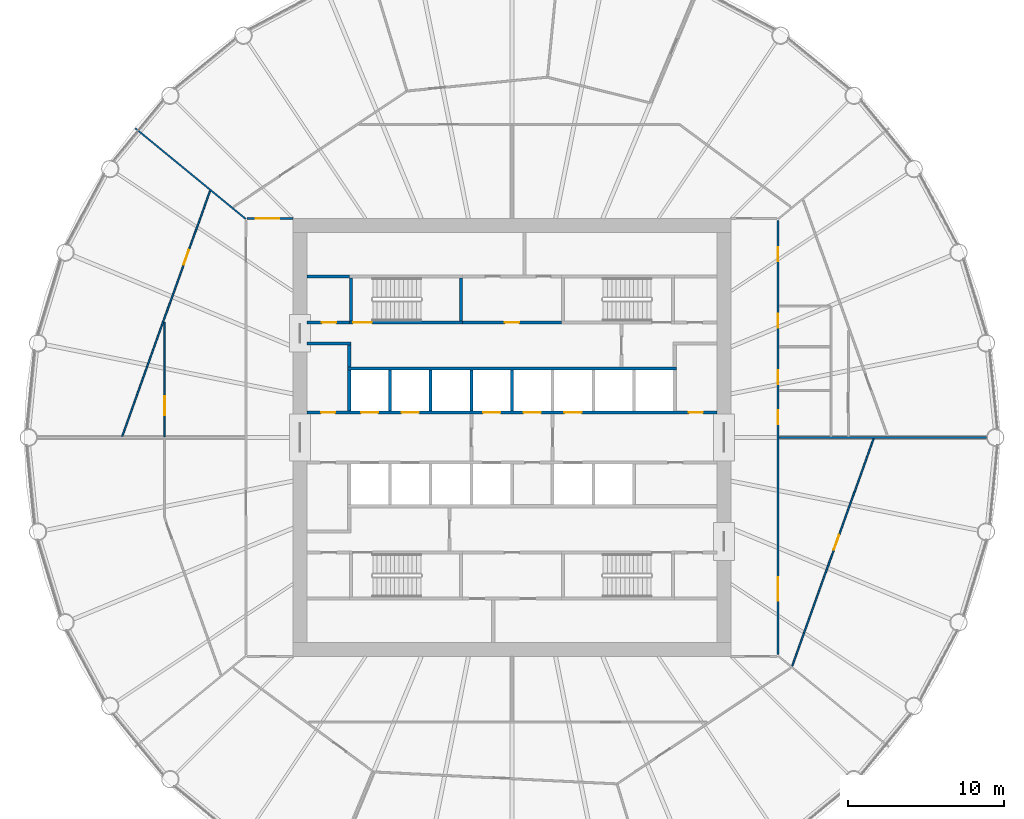
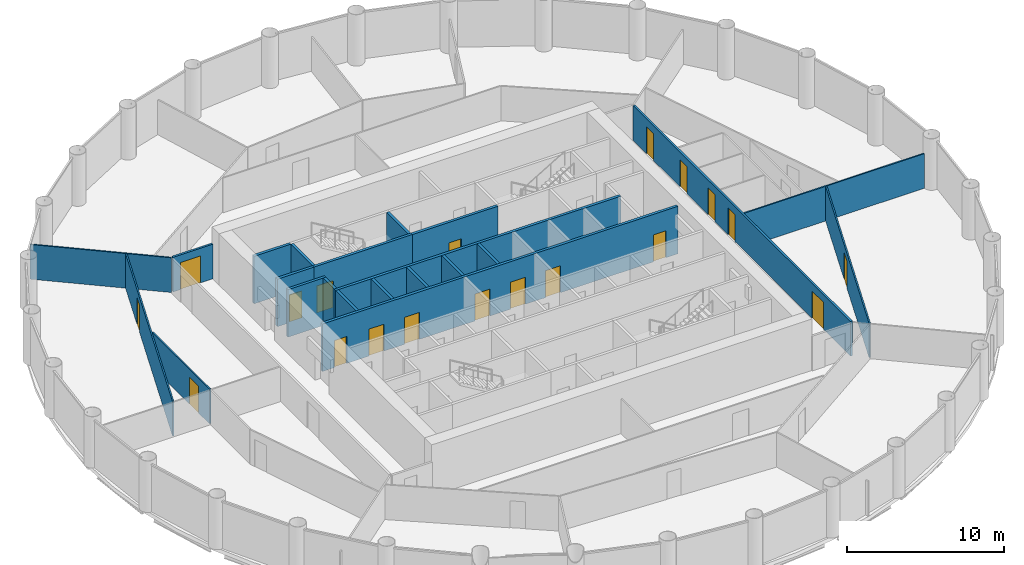
# One storey, part 6 of 9: 22 walls, 19 doors, 19 openings.
"""IFC4 building model written with IfcOpenShell, lengths in metres."""

from ifc_helpers import new_model, si_unit, direction, frame, frame_2d, origin, place, context, subcontext, project, spatial, polyline, rectangle, outline, extrude, material, layer, layer_set, type_object, element, fill, save


model = new_model("IFC4")

# Units and contexts
model_context = context("Model", 3, precision=1e-05, world=origin(), true_north=direction((0.0, 1.0)))
body_context = subcontext(model_context, "Body", "Model", "MODEL_VIEW")
ifc_project = project(units=[si_unit("LENGTHUNIT", "METRE"), si_unit("AREAUNIT", "SQUARE_METRE"), si_unit("VOLUMEUNIT", "CUBIC_METRE"), si_unit("PLANEANGLEUNIT", "RADIAN"), si_unit("MASSUNIT", "GRAM", prefix="KILO")], contexts=[model_context])

# Site, building, storey
site_placement = place(None, origin())
site = spatial("IfcSite", under=ifc_project, at=site_placement, CompositionType="ELEMENT")
building_placement = place(site_placement, origin())
building = spatial("IfcBuilding", under=site, at=building_placement, Name="Corvane Civic Tower", CompositionType="ELEMENT")
storey_placement = place(building_placement, frame((0.0, 0.0, 184.0)))
storey = spatial("IfcBuildingStorey", under=building, at=storey_placement, Name="L43", CompositionType="ELEMENT", Elevation=184.0)

# Wall, openings, doors
ifc_material_1 = material(Name="Concrete C30/37", Category="concrete")
ifc_layer_1 = layer(ifc_material_1, 0.199951171875)
ifc_layer_set_1 = layer_set([ifc_layer_1], Name="Concrete C30/37")
wall_type_1 = type_object("IfcWallType", Name="CR-WALL-200", PredefinedType="PARTITIONING", material=ifc_layer_set_1)
wall_1_placement = place(storey_placement, frame((-13.10009765625, 1.60009765625, 0.0), z_axis=(0.0, 0.0, 1.0), x_axis=(1.0, 0.0, 0.0)))
wall_1 = element("IfcWall", 1, at=wall_1_placement, inside=storey, type_object=wall_type_1, Name="L43 lift shaft wall", PredefinedType="PARTITIONING", context=body_context, shape_type="SweptSolid", body=[
    extrude(rectangle(XDim=26.2001953125, YDim=0.199951171875, at=frame_2d((13.10009765625, 0.0))), origin(), (0.0, 0.0, 1.0), 3.699951171875),
])
opening_1_placement = place(wall_1_placement, frame((3.449951171875, 0.0, 0.0)))
opening_1 = element("IfcOpeningElement", 2, at=opening_1_placement, cuts=wall_1, Name="Opening LD", PredefinedType="OPENING", context=body_context, shape_type="SweptSolid", body=[
    extrude(rectangle(XDim=1.10009765625, YDim=2.10009765625, at=frame_2d((0.550048828125, 1.050048828125))), frame((0.0, 0.10986328125, 0.0), z_axis=(0.0, -1.0, 0.0), x_axis=(1.0, 0.0, 0.0)), (0.0, 0.0, 1.0), 0.219970703125),
])
opening_2_placement = place(wall_1_placement, frame((6.050048828125, 0.0, 0.0)))
opening_2 = element("IfcOpeningElement", 3, at=opening_2_placement, cuts=wall_1, Name="Opening LD", PredefinedType="OPENING", context=body_context, shape_type="SweptSolid", body=[
    extrude(rectangle(XDim=1.10009765625, YDim=2.10009765625, at=frame_2d((0.550048828125, 1.050048828125))), frame((0.0, 0.10986328125, 0.0), z_axis=(0.0, -1.0, 0.0), x_axis=(1.0, 0.0, 0.0)), (0.0, 0.0, 1.0), 0.219970703125),
])
opening_3_placement = place(wall_1_placement, frame((11.25, 0.0, 0.0)))
opening_3 = element("IfcOpeningElement", 4, at=opening_3_placement, cuts=wall_1, Name="Opening LD", PredefinedType="OPENING", context=body_context, shape_type="SweptSolid", body=[
    extrude(rectangle(XDim=1.10009765625, YDim=2.10009765625, at=frame_2d((0.550048828125, 1.050048828125))), frame((0.0, 0.10986328125, 0.0), z_axis=(0.0, -1.0, 0.0), x_axis=(1.0, 0.0, 0.0)), (0.0, 0.0, 1.0), 0.219970703125),
])
opening_4_placement = place(wall_1_placement, frame((13.85009765625, 0.0, 0.0)))
opening_4 = element("IfcOpeningElement", 5, at=opening_4_placement, cuts=wall_1, Name="Opening LD", PredefinedType="OPENING", context=body_context, shape_type="SweptSolid", body=[
    extrude(rectangle(XDim=1.10009765625, YDim=2.10009765625, at=frame_2d((0.550048828125, 1.050048828125))), frame((0.0, 0.10986328125, 0.0), z_axis=(0.0, -1.0, 0.0), x_axis=(1.0, 0.0, 0.0)), (0.0, 0.0, 1.0), 0.219970703125),
])
opening_5_placement = place(wall_1_placement, frame((16.449951171875, 0.0, 0.0)))
opening_5 = element("IfcOpeningElement", 6, at=opening_5_placement, cuts=wall_1, Name="Opening LD", PredefinedType="OPENING", context=body_context, shape_type="SweptSolid", body=[
    extrude(rectangle(XDim=1.10009765625, YDim=2.10009765625, at=frame_2d((0.550048828125, 1.050048828125))), frame((0.0, 0.10986328125, 0.0), z_axis=(0.0, -1.0, 0.0), x_axis=(1.0, 0.0, 0.0)), (0.0, 0.0, 1.0), 0.219970703125),
])
opening_6_placement = place(wall_1_placement, frame((0.89990234375, 0.0, 0.0)))
opening_6 = element("IfcOpeningElement", 7, at=opening_6_placement, cuts=wall_1, Name="Opening L43.C01", PredefinedType="OPENING", context=body_context, shape_type="SweptSolid", body=[
    extrude(rectangle(XDim=0.89990234375, YDim=2.10009765625, at=frame_2d((0.449951171875, 1.050048828125))), frame((0.0, 0.10986328125, 0.0), z_axis=(0.0, -1.0, 0.0), x_axis=(1.0, 0.0, 0.0)), (0.0, 0.0, 1.0), 0.219970703125),
])
opening_7_placement = place(wall_1_placement, frame((24.39990234375, 0.0, 0.0)))
opening_7 = element("IfcOpeningElement", 8, at=opening_7_placement, cuts=wall_1, Name="Opening L43.C02", PredefinedType="OPENING", context=body_context, shape_type="SweptSolid", body=[
    extrude(rectangle(XDim=0.89990234375, YDim=2.10009765625, at=frame_2d((0.449951171875, 1.050048828125))), frame((0.0, 0.10986328125, 0.0), z_axis=(0.0, -1.0, 0.0), x_axis=(1.0, 0.0, 0.0)), (0.0, 0.0, 1.0), 0.219970703125),
])
ifc_material_2 = material(Name="Steel fire door leaf", Category="steel")
door_type_1 = type_object("IfcDoorType", Name="CR-DOOR-900", OperationType="SINGLE_SWING_LEFT", PredefinedType="DOOR", material=ifc_material_2)
door_1_placement = place(opening_6_placement, origin())
door_1 = element("IfcDoor", 9, at=door_1_placement, inside=storey, type_object=door_type_1, Name="L43 door", OperationType="SINGLE_SWING_LEFT", OverallHeight=2.10009765625, OverallWidth=0.89990234375, PredefinedType="DOOR", context=body_context, shape_type="SweptSolid", body=[
    extrude(rectangle(XDim=0.89990234375, YDim=2.10009765625, at=frame_2d((0.449951171875, 1.050048828125))), frame((0.0, 0.02490234375, 0.0), z_axis=(0.0, -1.0, 0.0), x_axis=(1.0, 0.0, 0.0)), (0.0, 0.0, 1.0), 0.050048828125),
])
fill(opening_6, door_1)
door_2_placement = place(opening_7_placement, origin())
door_2 = element("IfcDoor", 10, at=door_2_placement, inside=storey, type_object=door_type_1, Name="L43 door", OperationType="SINGLE_SWING_LEFT", OverallHeight=2.10009765625, OverallWidth=0.89990234375, PredefinedType="DOOR", context=body_context, shape_type="SweptSolid", body=[
    extrude(rectangle(XDim=0.89990234375, YDim=2.10009765625, at=frame_2d((0.449951171875, 1.050048828125))), frame((0.0, 0.02490234375, 0.0), z_axis=(0.0, -1.0, 0.0), x_axis=(1.0, 0.0, 0.0)), (0.0, 0.0, 1.0), 0.050048828125),
])
fill(opening_7, door_2)
ifc_material_3 = material(Name="Stainless steel 316 door leaves", Category="steel")
door_type_2 = type_object("IfcDoorType", Name="LD", OperationType="DOUBLE_DOOR_SLIDING", PredefinedType="DOOR", material=ifc_material_3)
door_3_placement = place(opening_1_placement, origin())
door_3 = element("IfcDoor", 11, at=door_3_placement, inside=storey, type_object=door_type_2, Name="L43 landing door", OperationType="DOUBLE_DOOR_SLIDING", OverallHeight=2.10009765625, OverallWidth=1.10009765625, PredefinedType="DOOR", context=body_context, shape_type="SweptSolid", body=[
    extrude(rectangle(XDim=1.10009765625, YDim=2.10009765625, at=frame_2d((0.550048828125, 1.050048828125))), frame((0.0, 0.02490234375, 0.0), z_axis=(0.0, -1.0, 0.0), x_axis=(1.0, 0.0, 0.0)), (0.0, 0.0, 1.0), 0.050048828125),
])
fill(opening_1, door_3)
door_4_placement = place(opening_2_placement, origin())
door_4 = element("IfcDoor", 12, at=door_4_placement, inside=storey, type_object=door_type_2, Name="L43 landing door", OperationType="DOUBLE_DOOR_SLIDING", OverallHeight=2.10009765625, OverallWidth=1.10009765625, PredefinedType="DOOR", context=body_context, shape_type="SweptSolid", body=[
    extrude(rectangle(XDim=1.10009765625, YDim=2.10009765625, at=frame_2d((0.550048828125, 1.050048828125))), frame((0.0, 0.02490234375, 0.0), z_axis=(0.0, -1.0, 0.0), x_axis=(1.0, 0.0, 0.0)), (0.0, 0.0, 1.0), 0.050048828125),
])
fill(opening_2, door_4)
door_5_placement = place(opening_3_placement, origin())
door_5 = element("IfcDoor", 13, at=door_5_placement, inside=storey, type_object=door_type_2, Name="L43 landing door", OperationType="DOUBLE_DOOR_SLIDING", OverallHeight=2.10009765625, OverallWidth=1.10009765625, PredefinedType="DOOR", context=body_context, shape_type="SweptSolid", body=[
    extrude(rectangle(XDim=1.10009765625, YDim=2.10009765625, at=frame_2d((0.550048828125, 1.050048828125))), frame((0.0, 0.02490234375, 0.0), z_axis=(0.0, -1.0, 0.0), x_axis=(1.0, 0.0, 0.0)), (0.0, 0.0, 1.0), 0.050048828125),
])
fill(opening_3, door_5)
door_6_placement = place(opening_4_placement, origin())
door_6 = element("IfcDoor", 14, at=door_6_placement, inside=storey, type_object=door_type_2, Name="L43 landing door", OperationType="DOUBLE_DOOR_SLIDING", OverallHeight=2.10009765625, OverallWidth=1.10009765625, PredefinedType="DOOR", context=body_context, shape_type="SweptSolid", body=[
    extrude(rectangle(XDim=1.10009765625, YDim=2.10009765625, at=frame_2d((0.550048828125, 1.050048828125))), frame((0.0, 0.02490234375, 0.0), z_axis=(0.0, -1.0, 0.0), x_axis=(1.0, 0.0, 0.0)), (0.0, 0.0, 1.0), 0.050048828125),
])
fill(opening_4, door_6)
door_7_placement = place(opening_5_placement, origin())
door_7 = element("IfcDoor", 15, at=door_7_placement, inside=storey, type_object=door_type_2, Name="L43 landing door", OperationType="DOUBLE_DOOR_SLIDING", OverallHeight=2.10009765625, OverallWidth=1.10009765625, PredefinedType="DOOR", context=body_context, shape_type="SweptSolid", body=[
    extrude(rectangle(XDim=1.10009765625, YDim=2.10009765625, at=frame_2d((0.550048828125, 1.050048828125))), frame((0.0, 0.02490234375, 0.0), z_axis=(0.0, -1.0, 0.0), x_axis=(1.0, 0.0, 0.0)), (0.0, 0.0, 1.0), 0.050048828125),
])
fill(opening_5, door_7)

# Wall, opening, door
wall_2_placement = place(storey_placement, frame((-13.10009765625, 7.35009765625, 0.0), z_axis=(0.0, 0.0, 1.0), x_axis=(1.0, 0.0, 0.0)))
wall_2 = element("IfcWall", 16, at=wall_2_placement, inside=storey, type_object=wall_type_1, Name="L43 core partition wall", PredefinedType="PARTITIONING", context=body_context, shape_type="SweptSolid", body=[
    extrude(rectangle(XDim=2.7001953125, YDim=0.199951171875, at=frame_2d((1.35009765625, 0.0))), origin(), (0.0, 0.0, 1.0), 3.699951171875),
])
opening_8_placement = place(wall_2_placement, frame((0.949951171875, 0.0, 0.0)))
opening_8 = element("IfcOpeningElement", 17, at=opening_8_placement, cuts=wall_2, Name="Opening L43.C12", PredefinedType="OPENING", context=body_context, shape_type="SweptSolid", body=[
    extrude(rectangle(XDim=0.89990234375, YDim=2.10009765625, at=frame_2d((0.449951171875, 1.050048828125))), frame((0.0, 0.10986328125, 0.0), z_axis=(0.0, -1.0, 0.0), x_axis=(1.0, 0.0, 0.0)), (0.0, 0.0, 1.0), 0.219970703125),
])
door_8_placement = place(opening_8_placement, origin())
door_8 = element("IfcDoor", 18, at=door_8_placement, inside=storey, type_object=door_type_1, Name="L43 door", OperationType="SINGLE_SWING_LEFT", OverallHeight=2.10009765625, OverallWidth=0.89990234375, PredefinedType="DOOR", context=body_context, shape_type="SweptSolid", body=[
    extrude(rectangle(XDim=0.89990234375, YDim=2.10009765625, at=frame_2d((0.449951171875, 1.050048828125))), frame((0.0, 0.02490234375, 0.0), z_axis=(0.0, -1.0, 0.0), x_axis=(1.0, 0.0, 0.0)), (0.0, 0.0, 1.0), 0.050048828125),
])
fill(opening_8, door_8)

wall_3_placement = place(storey_placement, frame((-3.14990234375, 7.35009765625, 0.0), z_axis=(0.0, 0.0, 1.0), x_axis=(1.0, 0.0, 0.0)))
wall_3 = element("IfcWall", 19, at=wall_3_placement, inside=storey, type_object=wall_type_1, Name="L43 core partition wall", PredefinedType="PARTITIONING", context=body_context, shape_type="SweptSolid", body=[
    extrude(rectangle(XDim=6.2998046875, YDim=0.199951171875, at=frame_2d((3.14990234375, 0.0))), origin(), (0.0, 0.0, 1.0), 3.699951171875),
])
opening_9_placement = place(wall_3_placement, frame((2.699951171875, 0.0, 0.0)))
opening_9 = element("IfcOpeningElement", 20, at=opening_9_placement, cuts=wall_3, Name="Opening L43.C06", PredefinedType="OPENING", context=body_context, shape_type="SweptSolid", body=[
    extrude(rectangle(XDim=0.89990234375, YDim=2.10009765625, at=frame_2d((0.449951171875, 1.050048828125))), frame((0.0, 0.10986328125, 0.0), z_axis=(0.0, -1.0, 0.0), x_axis=(1.0, 0.0, 0.0)), (0.0, 0.0, 1.0), 0.219970703125),
])
door_9_placement = place(opening_9_placement, origin())
door_9 = element("IfcDoor", 21, at=door_9_placement, inside=storey, type_object=door_type_1, Name="L43 door", OperationType="SINGLE_SWING_LEFT", OverallHeight=2.10009765625, OverallWidth=0.89990234375, PredefinedType="DOOR", context=body_context, shape_type="SweptSolid", body=[
    extrude(rectangle(XDim=0.89990234375, YDim=2.10009765625, at=frame_2d((0.449951171875, 1.050048828125))), frame((0.0, 0.02490234375, 0.0), z_axis=(0.0, -1.0, 0.0), x_axis=(1.0, 0.0, 0.0)), (0.0, 0.0, 1.0), 0.050048828125),
])
fill(opening_9, door_9)

# Walls
wall_4_placement = place(storey_placement, origin())
element("IfcWall", 22, at=wall_4_placement, inside=storey, type_object=wall_type_1, Name="L43 core partition wall", PredefinedType="PARTITIONING", context=body_context, shape_type="SweptSolid", body=[
    extrude(outline(polyline([(10.5, 4.5), (10.5, 4.300048828125), (-10.5, 4.300048828125), (-10.5, 4.5), (10.5, 4.5)])), origin(), (0.0, 0.0, 1.0), 3.699951171875),
])
wall_5_placement = place(storey_placement, origin())
element("IfcWall", 23, at=wall_5_placement, inside=storey, type_object=wall_type_1, Name="L43 core partition wall", PredefinedType="PARTITIONING", context=body_context, shape_type="SweptSolid", body=[
    extrude(outline(polyline([(-10.300048828125, 5.89990234375), (-13.10009765625, 5.89990234375), (-13.10009765625, 6.10009765625), (-10.300048828125, 6.10009765625), (-10.300048828125, 5.89990234375)])), origin(), (0.0, 0.0, 1.0), 3.699951171875),
])
wall_6_placement = place(storey_placement, origin())
element("IfcWall", 24, at=wall_6_placement, inside=storey, type_object=wall_type_1, Name="L43 core partition wall", PredefinedType="PARTITIONING", context=body_context, shape_type="SweptSolid", body=[
    extrude(outline(polyline([(-2.5, 1.699951171875), (-2.699951171875, 1.699951171875), (-2.699951171875, 4.2998046875), (-2.5, 4.2998046875), (-2.5, 1.699951171875)])), origin(), (0.0, 0.0, 1.0), 3.699951171875),
])
wall_7_placement = place(storey_placement, origin())
element("IfcWall", 25, at=wall_7_placement, inside=storey, type_object=wall_type_1, Name="L43 core partition wall", PredefinedType="PARTITIONING", context=body_context, shape_type="SweptSolid", body=[
    extrude(outline(polyline([(0.10009765625, 1.699951171875), (-0.10009765625, 1.699951171875), (-0.10009765625, 4.2998046875), (0.10009765625, 4.2998046875), (0.10009765625, 1.699951171875)])), origin(), (0.0, 0.0, 1.0), 3.699951171875),
])
wall_8_placement = place(storey_placement, origin())
element("IfcWall", 26, at=wall_8_placement, inside=storey, type_object=wall_type_1, Name="L43 core partition wall", PredefinedType="PARTITIONING", context=body_context, shape_type="SweptSolid", body=[
    extrude(outline(polyline([(-10.300048828125, 1.699951171875), (-10.5, 1.699951171875), (-10.5, 4.2998046875), (-10.300048828125, 4.2998046875), (-10.300048828125, 1.699951171875)])), origin(), (0.0, 0.0, 1.0), 3.699951171875),
])
wall_9_placement = place(storey_placement, origin())
element("IfcWall", 27, at=wall_9_placement, inside=storey, type_object=wall_type_1, Name="L43 core partition wall", PredefinedType="PARTITIONING", context=body_context, shape_type="SweptSolid", body=[
    extrude(outline(polyline([(-7.699951171875, 1.699951171875), (-7.89990234375, 1.699951171875), (-7.89990234375, 4.2998046875), (-7.699951171875, 4.2998046875), (-7.699951171875, 1.699951171875)])), origin(), (0.0, 0.0, 1.0), 3.699951171875),
])
wall_10_placement = place(storey_placement, origin())
element("IfcWall", 28, at=wall_10_placement, inside=storey, type_object=wall_type_1, Name="L43 core partition wall", PredefinedType="PARTITIONING", context=body_context, shape_type="SweptSolid", body=[
    extrude(outline(polyline([(-5.10009765625, 1.699951171875), (-5.300048828125, 1.699951171875), (-5.300048828125, 4.2998046875), (-5.10009765625, 4.2998046875), (-5.10009765625, 1.699951171875)])), origin(), (0.0, 0.0, 1.0), 3.699951171875),
])
wall_11_placement = place(storey_placement, origin())
element("IfcWall", 29, at=wall_11_placement, inside=storey, type_object=wall_type_1, Name="L43 core partition wall", PredefinedType="PARTITIONING", context=body_context, shape_type="SweptSolid", body=[
    extrude(outline(polyline([(-10.300048828125, 4.5), (-10.5, 4.5), (-10.5, 5.89990234375), (-10.300048828125, 5.89990234375), (-10.300048828125, 4.5)])), origin(), (0.0, 0.0, 1.0), 3.699951171875),
])
wall_12_placement = place(storey_placement, origin())
element("IfcWall", 30, at=wall_12_placement, inside=storey, type_object=wall_type_1, Name="L43 core partition wall", PredefinedType="PARTITIONING", context=body_context, shape_type="SweptSolid", body=[
    extrude(outline(polyline([(-13.10009765625, 10.199951171875), (-13.10009765625, 10.39990234375), (-10.39990234375, 10.39990234375), (-10.39990234375, 10.199951171875), (-13.10009765625, 10.199951171875)])), origin(), (0.0, 0.0, 1.0), 3.699951171875),
])

# Wall, opening, door
ifc_material_4 = material(Name="Plasterboard")
ifc_layer_2 = layer(ifc_material_4, 0.10009765625)
ifc_layer_set_2 = layer_set([ifc_layer_2], Name="Plasterboard")
wall_type_2 = type_object("IfcWallType", Name="Partition 100 plasterboard on studs", PredefinedType="PARTITIONING", material=ifc_layer_set_2)
wall_13_placement = place(storey_placement, frame((17.911865234375, -14.61328125, 0.0), z_axis=(0.0, 0.0, 1.0), x_axis=(0.336892928538, 0.941542964873, 0.0)))
wall_13 = element("IfcWall", 31, at=wall_13_placement, inside=storey, type_object=wall_type_2, Name="Partition L43.011", PredefinedType="PARTITIONING", context=body_context, shape_type="SweptSolid", body=[
    extrude(rectangle(XDim=15.449462890625, YDim=0.10009765625, at=frame_2d((7.724609375, 0.0))), origin(), (0.0, 0.0, 1.0), 2.699951171875),
])
opening_10_placement = place(wall_13_placement, frame((7.896484375, 0.0, 0.0)))
opening_10 = element("IfcOpeningElement", 32, at=opening_10_placement, cuts=wall_13, Name="Opening L43.019", PredefinedType="OPENING", context=body_context, shape_type="SweptSolid", body=[
    extrude(rectangle(XDim=1.0, YDim=2.10009765625, at=frame_2d((0.5, 1.050048828125))), frame((0.0, 0.06005859375, 0.0), z_axis=(0.0, -1.0, 0.0), x_axis=(1.0, 0.0, 0.0)), (0.0, 0.0, 1.0), 0.1201171875),
])
ifc_material_5 = material(Name="Timber", Category="wood")
door_type_3 = type_object("IfcDoorType", Name="Single door 1000", OperationType="NOTDEFINED", PredefinedType="DOOR", material=ifc_material_5)
door_10_placement = place(opening_10_placement, frame((1.0, 0.0, 0.0), z_axis=(0.0, 0.0, 1.0), x_axis=(-1.0, 0.0, 0.0)))
door_10 = element("IfcDoor", 33, at=door_10_placement, inside=storey, type_object=door_type_3, Name="Door L43.019", OperationType="SINGLE_SWING_LEFT", OverallHeight=2.10009765625, OverallWidth=1.0, PredefinedType="DOOR", context=body_context, shape_type="SweptSolid", body=[
    extrude(rectangle(XDim=1.0, YDim=2.10009765625, at=frame_2d((0.5, 1.050048828125))), frame((0.0, 0.02490234375, 0.0), z_axis=(0.0, -1.0, 0.0), x_axis=(1.0, 0.0, 0.0)), (0.0, 0.0, 1.0), 0.050048828125),
])
fill(opening_10, door_10)

# Wall
wall_14_placement = place(storey_placement, frame((17.074951171875, 0.0, 0.0), z_axis=(0.0, 0.0, 1.0), x_axis=(1.0, 0.0, 0.0)))
element("IfcWall", 34, at=wall_14_placement, inside=storey, type_object=wall_type_2, Name="Partition L43.018", PredefinedType="PARTITIONING", context=body_context, shape_type="SweptSolid", body=[
    extrude(rectangle(XDim=13.264892578125, YDim=0.10009765625, at=frame_2d((6.63232421875, 0.0))), origin(), (0.0, 0.0, 1.0), 2.699951171875),
])

# Wall, opening, door
wall_15_placement = place(storey_placement, frame((-22.199951171875, 0.050048828125, 0.0), z_axis=(0.0, 0.0, 1.0), x_axis=(0.0, 1.0, 0.0)))
wall_15 = element("IfcWall", 35, at=wall_15_placement, inside=storey, type_object=wall_type_2, Name="Partition L43.019", PredefinedType="PARTITIONING", context=body_context, shape_type="SweptSolid", body=[
    extrude(rectangle(XDim=7.3271484375, YDim=0.10009765625, at=frame_2d((3.66357421875, 0.0))), origin(), (0.0, 0.0, 1.0), 2.699951171875),
])
opening_11_placement = place(wall_15_placement, frame((1.377197265625, 0.0, 0.0)))
opening_11 = element("IfcOpeningElement", 36, at=opening_11_placement, cuts=wall_15, Name="Opening L43.024", PredefinedType="OPENING", context=body_context, shape_type="SweptSolid", body=[
    extrude(rectangle(XDim=1.199951171875, YDim=2.10009765625, at=frame_2d((0.60009765625, 1.050048828125))), frame((0.0, 0.06005859375, 0.0), z_axis=(0.0, -1.0, 0.0), x_axis=(1.0, 0.0, 0.0)), (0.0, 0.0, 1.0), 0.1201171875),
])
ifc_material_6 = material(Name="Timber", Category="wood")
door_type_4 = type_object("IfcDoorType", Name="Double door 1200", OperationType="NOTDEFINED", PredefinedType="DOOR", material=ifc_material_6)
door_11_placement = place(opening_11_placement, origin())
door_11 = element("IfcDoor", 37, at=door_11_placement, inside=storey, type_object=door_type_4, Name="Door L43.024", OperationType="DOUBLE_DOOR_SINGLE_SWING", OverallHeight=2.10009765625, OverallWidth=1.199951171875, PredefinedType="DOOR", context=body_context, shape_type="SweptSolid", body=[
    extrude(rectangle(XDim=1.199951171875, YDim=2.10009765625, at=frame_2d((0.60009765625, 1.050048828125))), frame((0.0, 0.02490234375, 0.0), z_axis=(0.0, -1.0, 0.0), x_axis=(1.0, 0.0, 0.0)), (0.0, 0.0, 1.0), 0.050048828125),
])
fill(opening_11, door_11)

wall_16_placement = place(storey_placement, frame((-24.918701171875, 0.06689453125, 0.0), z_axis=(0.0, 0.0, 1.0), x_axis=(0.336884857091, 0.941545852873, 0.0)))
wall_16 = element("IfcWall", 38, at=wall_16_placement, inside=storey, type_object=wall_type_2, Name="Partition L43.022", PredefinedType="PARTITIONING", context=body_context, shape_type="SweptSolid", body=[
    extrude(rectangle(XDim=16.663818359375, YDim=0.10009765625, at=frame_2d((8.33203125, 0.0))), origin(), (0.0, 0.0, 1.0), 2.699951171875),
])
opening_12_placement = place(wall_16_placement, frame((11.648193359375, 0.0, 0.0)))
opening_12 = element("IfcOpeningElement", 39, at=opening_12_placement, cuts=wall_16, Name="Opening L43.023", PredefinedType="OPENING", context=body_context, shape_type="SweptSolid", body=[
    extrude(rectangle(XDim=1.0, YDim=2.10009765625, at=frame_2d((0.5, 1.050048828125))), frame((0.0, 0.06005859375, 0.0), z_axis=(0.0, -1.0, 0.0), x_axis=(1.0, 0.0, 0.0)), (0.0, 0.0, 1.0), 0.1201171875),
])
door_12_placement = place(opening_12_placement, origin())
door_12 = element("IfcDoor", 40, at=door_12_placement, inside=storey, type_object=door_type_3, Name="Door L43.023", OperationType="SINGLE_SWING_RIGHT", OverallHeight=2.10009765625, OverallWidth=1.0, PredefinedType="DOOR", context=body_context, shape_type="SweptSolid", body=[
    extrude(rectangle(XDim=1.0, YDim=2.10009765625, at=frame_2d((0.5, 1.050048828125))), frame((0.0, 0.02490234375, 0.0), z_axis=(0.0, -1.0, 0.0), x_axis=(1.0, 0.0, 0.0)), (0.0, 0.0, 1.0), 0.050048828125),
])
fill(opening_12, door_12)

# Wall
wall_17_placement = place(storey_placement, frame((-24.079345703125, 19.761474609375, 0.0), z_axis=(0.0, 0.0, 1.0), x_axis=(0.773006154143, -0.634398522742, 0.0)))
element("IfcWall", 41, at=wall_17_placement, inside=storey, type_object=wall_type_2, Name="Partition L43.027", PredefinedType="PARTITIONING", context=body_context, shape_type="SweptSolid", body=[
    extrude(rectangle(XDim=9.134521484375, YDim=0.10009765625, at=frame_2d((4.5673828125, 0.0))), origin(), (0.0, 0.0, 1.0), 2.699951171875),
])

# Wall, opening, door
ifc_material_7 = material(Name="Concrete C50/60", Category="concrete")
ifc_layer_3 = layer(ifc_material_7, 0.199951171875)
ifc_layer_set_3 = layer_set([ifc_layer_3], Name="Concrete C50/60")
wall_type_3 = type_object("IfcWallType", Name="ST-WALL-200", PredefinedType="SHEAR", material=ifc_layer_set_3)
wall_18_placement = place(storey_placement, frame((-10.39990234375, 7.35009765625, 0.0), z_axis=(0.0, 0.0, 1.0), x_axis=(1.0, 0.0, 0.0)))
wall_18 = element("IfcWall", 42, at=wall_18_placement, inside=storey, type_object=wall_type_3, Name="L43 stair enclosure wall", PredefinedType="SHEAR", context=body_context, shape_type="SweptSolid", body=[
    extrude(rectangle(XDim=7.25, YDim=0.199951171875, at=frame_2d((3.625, 0.0))), origin(), (0.0, 0.0, 1.0), 3.699951171875),
])
opening_13_placement = place(wall_18_placement, frame((0.25, 0.0, 0.0)))
opening_13 = element("IfcOpeningElement", 43, at=opening_13_placement, cuts=wall_18, Name="Opening L43.C17", PredefinedType="OPENING", context=body_context, shape_type="SweptSolid", body=[
    extrude(rectangle(XDim=1.199951171875, YDim=2.10009765625, at=frame_2d((0.60009765625, 1.050048828125))), frame((0.0, 0.10986328125, 0.0), z_axis=(0.0, -1.0, 0.0), x_axis=(1.0, 0.0, 0.0)), (0.0, 0.0, 1.0), 0.219970703125),
])
ifc_material_8 = material(Name="Steel fire door leaf", Category="steel")
door_type_5 = type_object("IfcDoorType", Name="ST-DOOR-1200", OperationType="SINGLE_SWING_RIGHT", PredefinedType="DOOR", material=ifc_material_8)
door_13_placement = place(opening_13_placement, origin())
door_13 = element("IfcDoor", 44, at=door_13_placement, inside=storey, type_object=door_type_5, Name="L43 stair door", OperationType="SINGLE_SWING_RIGHT", OverallHeight=2.10009765625, OverallWidth=1.199951171875, PredefinedType="DOOR", context=body_context, shape_type="SweptSolid", body=[
    extrude(rectangle(XDim=1.199951171875, YDim=2.10009765625, at=frame_2d((0.60009765625, 1.050048828125))), frame((0.0, 0.02490234375, 0.0), z_axis=(0.0, -1.0, 0.0), x_axis=(1.0, 0.0, 0.0)), (0.0, 0.0, 1.0), 0.050048828125),
])
fill(opening_13, door_13)

# Walls
wall_19_placement = place(storey_placement, origin())
element("IfcWall", 45, at=wall_19_placement, inside=storey, type_object=wall_type_3, Name="L43 stair enclosure wall", PredefinedType="SHEAR", context=body_context, shape_type="SweptSolid", body=[
    extrude(outline(polyline([(-3.14990234375, 7.449951171875), (-3.35009765625, 7.449951171875), (-3.35009765625, 10.199951171875), (-3.14990234375, 10.199951171875), (-3.14990234375, 7.449951171875)])), origin(), (0.0, 0.0, 1.0), 3.699951171875),
])
wall_20_placement = place(storey_placement, origin())
element("IfcWall", 46, at=wall_20_placement, inside=storey, type_object=wall_type_3, Name="L43 stair enclosure wall", PredefinedType="SHEAR", context=body_context, shape_type="SweptSolid", body=[
    extrude(outline(polyline([(-10.199951171875, 7.449951171875), (-10.39990234375, 7.449951171875), (-10.39990234375, 10.199951171875), (-10.199951171875, 10.199951171875), (-10.199951171875, 7.449951171875)])), origin(), (0.0, 0.0, 1.0), 3.699951171875),
])

# Wall, openings, doors
ifc_material_9 = material(Name="Plasterboard")
ifc_layer_4 = layer(ifc_material_9, 0.14990234375)
ifc_layer_set_4 = layer_set([ifc_layer_4], Name="Plasterboard")
wall_type_4 = type_object("IfcWallType", Name="Tenancy wall 150 EI 60", PredefinedType="PARTITIONING", material=ifc_layer_set_4)
wall_21_placement = place(storey_placement, frame((17.0, -13.87646484375, 0.0), z_axis=(0.0, 0.0, 1.0), x_axis=(0.0, 1.0, 0.0)))
wall_21 = element("IfcWall", 47, at=wall_21_placement, inside=storey, type_object=wall_type_4, Name="Partition L43.015", PredefinedType="PARTITIONING", context=body_context, shape_type="SweptSolid", body=[
    extrude(rectangle(XDim=27.7529296875, YDim=0.14990234375, at=frame_2d((13.87646484375, 0.0))), origin(), (0.0, 0.0, 1.0), 2.699951171875),
])
opening_14_placement = place(wall_21_placement, frame((25.141845703125, 0.0, 0.0)))
opening_14 = element("IfcOpeningElement", 48, at=opening_14_placement, cuts=wall_21, Name="Opening L43.015", PredefinedType="OPENING", context=body_context, shape_type="SweptSolid", body=[
    extrude(rectangle(XDim=0.89990234375, YDim=2.10009765625, at=frame_2d((0.449951171875, 1.050048828125))), frame((0.0, 0.0849609375, 0.0), z_axis=(0.0, -1.0, 0.0), x_axis=(1.0, 0.0, 0.0)), (0.0, 0.0, 1.0), 0.169921875),
])
opening_15_placement = place(wall_21_placement, frame((14.715087890625, 0.0, 0.0)))
opening_15 = element("IfcOpeningElement", 49, at=opening_15_placement, cuts=wall_21, Name="Opening L43.016", PredefinedType="OPENING", context=body_context, shape_type="SweptSolid", body=[
    extrude(rectangle(XDim=0.89990234375, YDim=2.10009765625, at=frame_2d((0.449951171875, 1.050048828125))), frame((0.0, 0.0849609375, 0.0), z_axis=(0.0, -1.0, 0.0), x_axis=(1.0, 0.0, 0.0)), (0.0, 0.0, 1.0), 0.169921875),
])
opening_16_placement = place(wall_21_placement, frame((17.285400390625, 0.0, 0.0)))
opening_16 = element("IfcOpeningElement", 50, at=opening_16_placement, cuts=wall_21, Name="Opening L43.017", PredefinedType="OPENING", context=body_context, shape_type="SweptSolid", body=[
    extrude(rectangle(XDim=0.89990234375, YDim=2.10009765625, at=frame_2d((0.449951171875, 1.050048828125))), frame((0.0, 0.0849609375, 0.0), z_axis=(0.0, -1.0, 0.0), x_axis=(1.0, 0.0, 0.0)), (0.0, 0.0, 1.0), 0.169921875),
])
opening_17_placement = place(wall_21_placement, frame((20.8837890625, 0.0, 0.0)))
opening_17 = element("IfcOpeningElement", 51, at=opening_17_placement, cuts=wall_21, Name="Opening L43.018", PredefinedType="OPENING", context=body_context, shape_type="SweptSolid", body=[
    extrude(rectangle(XDim=0.89990234375, YDim=2.10009765625, at=frame_2d((0.449951171875, 1.050048828125))), frame((0.0, 0.0849609375, 0.0), z_axis=(0.0, -1.0, 0.0), x_axis=(1.0, 0.0, 0.0)), (0.0, 0.0, 1.0), 0.169921875),
])
opening_18_placement = place(wall_21_placement, frame((3.434326171875, 0.0, 0.0)))
opening_18 = element("IfcOpeningElement", 52, at=opening_18_placement, cuts=wall_21, Name="Opening L43.020", PredefinedType="OPENING", context=body_context, shape_type="SweptSolid", body=[
    extrude(rectangle(XDim=1.5, YDim=2.10009765625, at=frame_2d((0.75, 1.050048828125))), frame((0.0, 0.0849609375, 0.0), z_axis=(0.0, -1.0, 0.0), x_axis=(1.0, 0.0, 0.0)), (0.0, 0.0, 1.0), 0.169921875),
])
ifc_material_10 = material(Name="Steel and timber", Category="steel")
door_type_6 = type_object("IfcDoorType", Name="Fire door FD30S 900", OperationType="NOTDEFINED", PredefinedType="DOOR", material=ifc_material_10)
door_14_placement = place(opening_14_placement, frame((0.89990234375, 0.0, 0.0), z_axis=(0.0, 0.0, 1.0), x_axis=(-1.0, 0.0, 0.0)))
door_14 = element("IfcDoor", 53, at=door_14_placement, inside=storey, type_object=door_type_6, Name="Door L43.015", OperationType="SINGLE_SWING_LEFT", OverallHeight=2.10009765625, OverallWidth=0.89990234375, PredefinedType="DOOR", context=body_context, shape_type="SweptSolid", body=[
    extrude(rectangle(XDim=0.89990234375, YDim=2.10009765625, at=frame_2d((0.449951171875, 1.050048828125))), frame((0.0, 0.02490234375, 0.0), z_axis=(0.0, -1.0, 0.0), x_axis=(1.0, 0.0, 0.0)), (0.0, 0.0, 1.0), 0.050048828125),
])
fill(opening_14, door_14)
door_15_placement = place(opening_15_placement, frame((0.89990234375, 0.0, 0.0), z_axis=(0.0, 0.0, 1.0), x_axis=(-1.0, 0.0, 0.0)))
door_15 = element("IfcDoor", 54, at=door_15_placement, inside=storey, type_object=door_type_6, Name="Door L43.016", OperationType="SINGLE_SWING_LEFT", OverallHeight=2.10009765625, OverallWidth=0.89990234375, PredefinedType="DOOR", context=body_context, shape_type="SweptSolid", body=[
    extrude(rectangle(XDim=0.89990234375, YDim=2.10009765625, at=frame_2d((0.449951171875, 1.050048828125))), frame((0.0, 0.02490234375, 0.0), z_axis=(0.0, -1.0, 0.0), x_axis=(1.0, 0.0, 0.0)), (0.0, 0.0, 1.0), 0.050048828125),
])
fill(opening_15, door_15)
door_16_placement = place(opening_16_placement, frame((0.89990234375, 0.0, 0.0), z_axis=(0.0, 0.0, 1.0), x_axis=(-1.0, 0.0, 0.0)))
door_16 = element("IfcDoor", 55, at=door_16_placement, inside=storey, type_object=door_type_6, Name="Door L43.017", OperationType="SINGLE_SWING_RIGHT", OverallHeight=2.10009765625, OverallWidth=0.89990234375, PredefinedType="DOOR", context=body_context, shape_type="SweptSolid", body=[
    extrude(rectangle(XDim=0.89990234375, YDim=2.10009765625, at=frame_2d((0.449951171875, 1.050048828125))), frame((0.0, 0.02490234375, 0.0), z_axis=(0.0, -1.0, 0.0), x_axis=(1.0, 0.0, 0.0)), (0.0, 0.0, 1.0), 0.050048828125),
])
fill(opening_16, door_16)
door_17_placement = place(opening_17_placement, frame((0.89990234375, 0.0, 0.0), z_axis=(0.0, 0.0, 1.0), x_axis=(-1.0, 0.0, 0.0)))
door_17 = element("IfcDoor", 56, at=door_17_placement, inside=storey, type_object=door_type_6, Name="Door L43.018", OperationType="SINGLE_SWING_LEFT", OverallHeight=2.10009765625, OverallWidth=0.89990234375, PredefinedType="DOOR", context=body_context, shape_type="SweptSolid", body=[
    extrude(rectangle(XDim=0.89990234375, YDim=2.10009765625, at=frame_2d((0.449951171875, 1.050048828125))), frame((0.0, 0.02490234375, 0.0), z_axis=(0.0, -1.0, 0.0), x_axis=(1.0, 0.0, 0.0)), (0.0, 0.0, 1.0), 0.050048828125),
])
fill(opening_17, door_17)
ifc_material_11 = material(Name="Steel and timber", Category="steel")
door_type_7 = type_object("IfcDoorType", Name="Fire door FD60 double 1500", OperationType="NOTDEFINED", PredefinedType="DOOR", material=ifc_material_11)
door_18_placement = place(opening_18_placement, frame((1.5, 0.0, 0.0), z_axis=(0.0, 0.0, 1.0), x_axis=(-1.0, 0.0, 0.0)))
door_18 = element("IfcDoor", 57, at=door_18_placement, inside=storey, type_object=door_type_7, Name="Door L43.020", OperationType="DOUBLE_DOOR_SINGLE_SWING", OverallHeight=2.10009765625, OverallWidth=1.5, PredefinedType="DOOR", context=body_context, shape_type="SweptSolid", body=[
    extrude(rectangle(XDim=1.5, YDim=2.10009765625, at=frame_2d((0.75, 1.050048828125))), frame((0.0, 0.02490234375, 0.0), z_axis=(0.0, -1.0, 0.0), x_axis=(1.0, 0.0, 0.0)), (0.0, 0.0, 1.0), 0.050048828125),
])
fill(opening_18, door_18)

# Wall, opening, door
wall_22_placement = place(storey_placement, frame((-16.925048828125, 14.0, 0.0), z_axis=(0.0, 0.0, 1.0), x_axis=(1.0, 0.0, 0.0)))
wall_22 = element("IfcWall", 58, at=wall_22_placement, inside=storey, type_object=wall_type_4, Name="Partition L43.029", PredefinedType="PARTITIONING", context=body_context, shape_type="SweptSolid", body=[
    extrude(rectangle(XDim=2.93505859375, YDim=0.14990234375, at=frame_2d((1.467529296875, 0.0))), origin(), (0.0, 0.0, 1.0), 2.699951171875),
])
opening_19_placement = place(wall_22_placement, frame((0.53271484375, 0.0, 0.0)))
opening_19 = element("IfcOpeningElement", 59, at=opening_19_placement, cuts=wall_22, Name="Opening L43.005", PredefinedType="OPENING", context=body_context, shape_type="SweptSolid", body=[
    extrude(rectangle(XDim=1.5, YDim=2.10009765625, at=frame_2d((0.75, 1.050048828125))), frame((0.0, 0.0849609375, 0.0), z_axis=(0.0, -1.0, 0.0), x_axis=(1.0, 0.0, 0.0)), (0.0, 0.0, 1.0), 0.169921875),
])
door_19_placement = place(opening_19_placement, origin())
door_19 = element("IfcDoor", 60, at=door_19_placement, inside=storey, type_object=door_type_7, Name="Door L43.005", OperationType="DOUBLE_DOOR_SINGLE_SWING", OverallHeight=2.10009765625, OverallWidth=1.5, PredefinedType="DOOR", context=body_context, shape_type="SweptSolid", body=[
    extrude(rectangle(XDim=1.5, YDim=2.10009765625, at=frame_2d((0.75, 1.050048828125))), frame((0.0, 0.02490234375, 0.0), z_axis=(0.0, -1.0, 0.0), x_axis=(1.0, 0.0, 0.0)), (0.0, 0.0, 1.0), 0.050048828125),
])
fill(opening_19, door_19)

save(model, "model.ifc")
